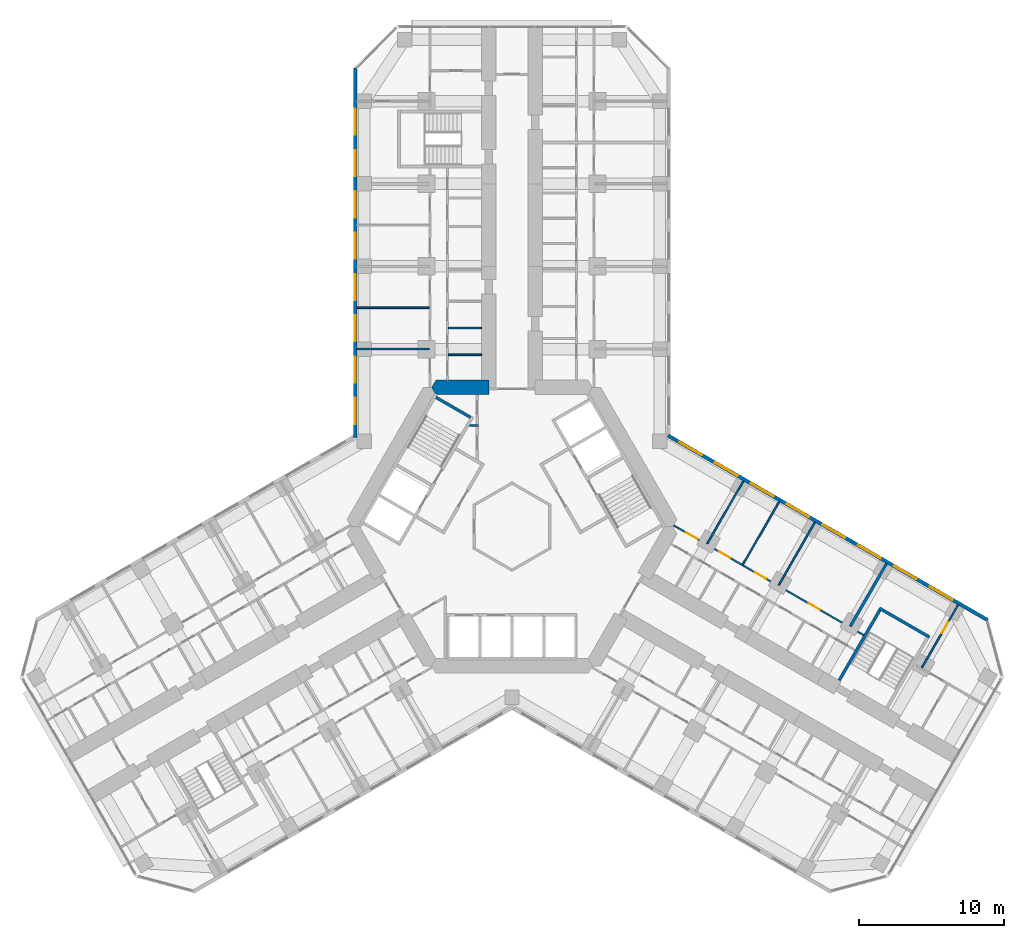
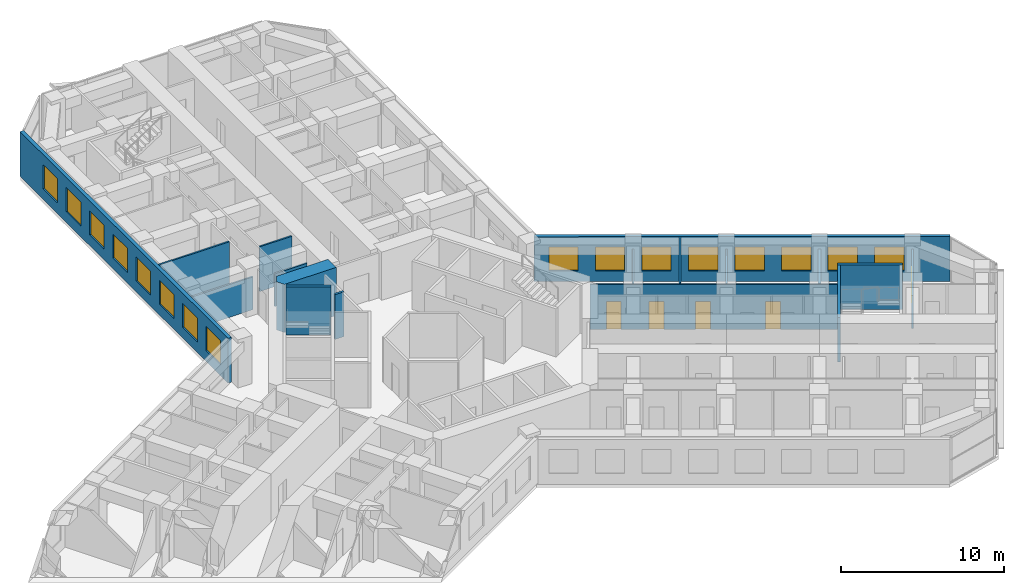
# One storey, part 16 of 21: 17 walls, 16 windows, 5 doors, 21 openings.
"""IFC4 building model written with IfcOpenShell, lengths in metres."""

from ifc_helpers import new_model, si_unit, direction, frame, frame_2d, origin, place, context, subcontext, project, spatial, polyline, rectangle, outline, extrude, material, layer, layer_set, type_object, element, fill, save


model = new_model("IFC4")

# Units and contexts
model_context = context("Model", 3, precision=1e-05, world=origin(), true_north=direction((0.0, 1.0)))
body_context = subcontext(model_context, "Body", "Model", "MODEL_VIEW")
ifc_project = project(units=[si_unit("LENGTHUNIT", "METRE"), si_unit("AREAUNIT", "SQUARE_METRE"), si_unit("VOLUMEUNIT", "CUBIC_METRE"), si_unit("PLANEANGLEUNIT", "RADIAN"), si_unit("MASSUNIT", "GRAM", prefix="KILO")], contexts=[model_context])

# Site, building, storey
site_placement = place(None, origin())
site = spatial("IfcSite", under=ifc_project, at=site_placement, CompositionType="ELEMENT")
building_placement = place(site_placement, origin())
building = spatial("IfcBuilding", under=site, at=building_placement, Name="Kosmar Iwan School Tower", CompositionType="ELEMENT")
storey_placement = place(building_placement, frame((0.0, 0.0, 68.199951171875)))
storey = spatial("IfcBuildingStorey", under=building, at=storey_placement, Name="L16", CompositionType="ELEMENT", Elevation=68.199951171875)

# Walls
ifc_material_1 = material(Name="Gypsum board on steel studs, fire-rated", Category="steel")
ifc_layer_1 = layer(ifc_material_1, 0.14990234375)
ifc_layer_set_1 = layer_set([ifc_layer_1], Name="Core room partition 150")
wall_type_1 = type_object("IfcWallType", Name="Core room partition 150", PredefinedType="PARTITIONING", material=ifc_layer_set_1)
wall_1_placement = place(storey_placement, frame((-2.324951171875, 6.985107421875, 0.0), z_axis=(0.0, 0.0, 1.0), x_axis=(-1.0, 0.0, 0.0)))
element("IfcWall", 1, at=wall_1_placement, inside=storey, type_object=wall_type_1, Name="Core room partition L16-CW2", PredefinedType="PARTITIONING", context=body_context, shape_type="SweptSolid", body=[
    extrude(rectangle(XDim=0.623779296875, YDim=0.14990234375, at=frame_2d((0.31201171875, 0.0))), origin(), (0.0, 0.0, 1.0), 3.35009765625),
])
ifc_material_2 = material(Name="Concrete C50/60", Category="concrete")
ifc_layer_2 = layer(ifc_material_2, 1.0)
ifc_layer_set_2 = layer_set([ifc_layer_2], Name="Core wall 1000")
wall_type_2 = type_object("IfcWallType", Name="Core wall 1000", PredefinedType="SHEAR", material=ifc_layer_set_2)
wall_2_placement = place(storey_placement, origin())
element("IfcWall", 2, at=wall_2_placement, inside=storey, type_object=wall_type_2, Name="Core wall F090b", PredefinedType="SHEAR", context=body_context, shape_type="SweptSolid", body=[
    extrude(outline(polyline([(-5.25390625, 9.10009765625), (-1.60009765625, 9.10009765625), (-1.60009765625, 10.10009765625), (-5.25390625, 10.10009765625), (-5.54248046875, 9.60009765625), (-5.25390625, 9.10009765625)])), origin(), (0.0, 0.0, 1.0), 3.60009765625),
])
ifc_material_3 = material(Name="Gypsum board on steel studs", Category="steel")
ifc_layer_3 = layer(ifc_material_3, 0.1201171875)
ifc_layer_set_3 = layer_set([ifc_layer_3], Name="Dwelling partition 120")
wall_type_3 = type_object("IfcWallType", Name="Dwelling partition 120", PredefinedType="PARTITIONING", material=ifc_layer_set_3)
wall_3_placement = place(storey_placement, frame((-5.7099609375, 12.25, 0.0), z_axis=(0.0, 0.0, 1.0), x_axis=(-1.0, 0.0, 0.0)))
element("IfcWall", 3, at=wall_3_placement, inside=storey, type_object=wall_type_3, Name="Partition L16-AL1-X1", PredefinedType="PARTITIONING", context=body_context, shape_type="SweptSolid", body=[
    extrude(rectangle(XDim=4.989990234375, YDim=0.1201171875, at=frame_2d((2.4951171875, 0.0))), origin(), (0.0, 0.0, 1.0), 2.449951171875),
])
wall_4_placement = place(storey_placement, frame((-5.7099609375, 15.10009765625, 0.0), z_axis=(0.0, 0.0, 1.0), x_axis=(-1.0, 0.0, 0.0)))
element("IfcWall", 4, at=wall_4_placement, inside=storey, type_object=wall_type_3, Name="Partition L16-AL1-X2", PredefinedType="PARTITIONING", context=body_context, shape_type="SweptSolid", body=[
    extrude(rectangle(XDim=4.989990234375, YDim=0.1201171875, at=frame_2d((2.4951171875, 0.0))), origin(), (0.0, 0.0, 1.0), 3.35009765625),
])
wall_5_placement = place(storey_placement, frame((-2.10009765625, 11.85009765625, 0.0), z_axis=(0.0, 0.0, 1.0), x_axis=(-1.0, 0.0, 0.0)))
element("IfcWall", 5, at=wall_5_placement, inside=storey, type_object=wall_type_3, Name="Partition L16-AL1-Y1", PredefinedType="PARTITIONING", context=body_context, shape_type="SweptSolid", body=[
    extrude(rectangle(XDim=2.289794921875, YDim=0.1201171875, at=frame_2d((1.14501953125, 0.0))), origin(), (0.0, 0.0, 1.0), 2.449951171875),
])
wall_6_placement = place(storey_placement, frame((-2.10009765625, 13.699951171875, 0.0), z_axis=(0.0, 0.0, 1.0), x_axis=(-1.0, 0.0, 0.0)))
element("IfcWall", 6, at=wall_6_placement, inside=storey, type_object=wall_type_3, Name="Partition L16-AL1-Y2", PredefinedType="PARTITIONING", context=body_context, shape_type="SweptSolid", body=[
    extrude(rectangle(XDim=2.289794921875, YDim=0.1201171875, at=frame_2d((1.14501953125, 0.0))), origin(), (0.0, 0.0, 1.0), 3.35009765625),
])

# Wall, openings, doors
wall_7_placement = place(storey_placement, frame((11.138916015625, 0.093017578125, 0.0), z_axis=(0.0, 0.0, 1.0), x_axis=(0.866024032363, -0.500002375365, 0.0)))
wall_7 = element("IfcWall", 7, at=wall_7_placement, inside=storey, type_object=wall_type_3, Name="Partition L16-CL1-W2", PredefinedType="PARTITIONING", context=body_context, shape_type="SweptSolid", body=[
    extrude(rectangle(XDim=15.14990234375, YDim=0.1201171875, at=frame_2d((7.574951171875, 0.0))), origin(), (0.0, 0.0, 1.0), 3.35009765625),
])
opening_1_placement = place(wall_7_placement, frame((1.0, 0.0, 0.0)))
opening_1 = element("IfcOpeningElement", 8, at=opening_1_placement, cuts=wall_7, Name="Opening D2", PredefinedType="OPENING", context=body_context, shape_type="SweptSolid", body=[
    extrude(rectangle(XDim=0.89990234375, YDim=2.10009765625, at=frame_2d((0.449951171875, 1.050048828125))), frame((0.0, 0.072021484375, 0.0), z_axis=(0.0, -1.0, 0.0), x_axis=(1.0, 0.0, 0.0)), (0.0, 0.0, 1.0), 0.14404296875),
])
opening_2_placement = place(wall_7_placement, frame((3.625, 0.0, 0.0)))
opening_2 = element("IfcOpeningElement", 9, at=opening_2_placement, cuts=wall_7, Name="Opening D2", PredefinedType="OPENING", context=body_context, shape_type="SweptSolid", body=[
    extrude(rectangle(XDim=0.89990234375, YDim=2.10009765625, at=frame_2d((0.449951171875, 1.050048828125))), frame((0.0, 0.072021484375, 0.0), z_axis=(0.0, -1.0, 0.0), x_axis=(1.0, 0.0, 0.0)), (0.0, 0.0, 1.0), 0.14404296875),
])
opening_3_placement = place(wall_7_placement, frame((6.47509765625, 0.0, 0.0)))
opening_3 = element("IfcOpeningElement", 10, at=opening_3_placement, cuts=wall_7, Name="Opening D2", PredefinedType="OPENING", context=body_context, shape_type="SweptSolid", body=[
    extrude(rectangle(XDim=0.89990234375, YDim=2.10009765625, at=frame_2d((0.449951171875, 1.050048828125))), frame((0.0, 0.072021484375, 0.0), z_axis=(0.0, -1.0, 0.0), x_axis=(1.0, 0.0, 0.0)), (0.0, 0.0, 1.0), 0.14404296875),
])
opening_4_placement = place(wall_7_placement, frame((10.75, 0.0, 0.0)))
opening_4 = element("IfcOpeningElement", 11, at=opening_4_placement, cuts=wall_7, Name="Opening D2", PredefinedType="OPENING", context=body_context, shape_type="SweptSolid", body=[
    extrude(rectangle(XDim=0.89990234375, YDim=2.10009765625, at=frame_2d((0.449951171875, 1.050048828125))), frame((0.0, 0.072021484375, 0.0), z_axis=(0.0, -1.0, 0.0), x_axis=(1.0, 0.0, 0.0)), (0.0, 0.0, 1.0), 0.14404296875),
])
ifc_material_4 = material(Name="Timber door in timber frame", Category="wood")
door_type = type_object("IfcDoorType", Name="Internal door 900x2100", OperationType="SINGLE_SWING_LEFT", PredefinedType="DOOR", material=ifc_material_4)
door_1_placement = place(opening_1_placement, origin())
door_1 = element("IfcDoor", 12, at=door_1_placement, inside=storey, type_object=door_type, Name="Family room door L16-CL1-F1", OperationType="SINGLE_SWING_LEFT", OverallHeight=2.10009765625, OverallWidth=0.89990234375, PredefinedType="DOOR", context=body_context, shape_type="SweptSolid", body=[
    extrude(rectangle(XDim=0.89990234375, YDim=2.10009765625, at=frame_2d((0.449951171875, 1.050048828125))), frame((0.0, 0.02490234375, 0.0), z_axis=(0.0, -1.0, 0.0), x_axis=(1.0, 0.0, 0.0)), (0.0, 0.0, 1.0), 0.050048828125),
])
fill(opening_1, door_1)
door_2_placement = place(opening_2_placement, origin())
door_2 = element("IfcDoor", 13, at=door_2_placement, inside=storey, type_object=door_type, Name="Study door L16-CL1-F2", OperationType="SINGLE_SWING_RIGHT", OverallHeight=2.10009765625, OverallWidth=0.89990234375, PredefinedType="DOOR", context=body_context, shape_type="SweptSolid", body=[
    extrude(rectangle(XDim=0.89990234375, YDim=2.10009765625, at=frame_2d((0.449951171875, 1.050048828125))), frame((0.0, 0.02490234375, 0.0), z_axis=(0.0, -1.0, 0.0), x_axis=(1.0, 0.0, 0.0)), (0.0, 0.0, 1.0), 0.050048828125),
])
fill(opening_2, door_2)
door_3_placement = place(opening_3_placement, origin())
door_3 = element("IfcDoor", 14, at=door_3_placement, inside=storey, type_object=door_type, Name="Bedroom 1 door L16-CL1-F3", OperationType="SINGLE_SWING_LEFT", OverallHeight=2.10009765625, OverallWidth=0.89990234375, PredefinedType="DOOR", context=body_context, shape_type="SweptSolid", body=[
    extrude(rectangle(XDim=0.89990234375, YDim=2.10009765625, at=frame_2d((0.449951171875, 1.050048828125))), frame((0.0, 0.02490234375, 0.0), z_axis=(0.0, -1.0, 0.0), x_axis=(1.0, 0.0, 0.0)), (0.0, 0.0, 1.0), 0.050048828125),
])
fill(opening_3, door_3)
door_4_placement = place(opening_4_placement, origin())
door_4 = element("IfcDoor", 15, at=door_4_placement, inside=storey, type_object=door_type, Name="Living room and kitchen door L16-CL1-F4", OperationType="SINGLE_SWING_RIGHT", OverallHeight=2.10009765625, OverallWidth=0.89990234375, PredefinedType="DOOR", context=body_context, shape_type="SweptSolid", body=[
    extrude(rectangle(XDim=0.89990234375, YDim=2.10009765625, at=frame_2d((0.449951171875, 1.050048828125))), frame((0.0, 0.02490234375, 0.0), z_axis=(0.0, -1.0, 0.0), x_axis=(1.0, 0.0, 0.0)), (0.0, 0.0, 1.0), 0.050048828125),
])
fill(opening_4, door_4)

# Walls
wall_8_placement = place(storey_placement, frame((13.4638671875, -1.179931640625, 0.0), z_axis=(0.0, 0.0, 1.0), x_axis=(0.499996339024, 0.86602751744, 0.0)))
element("IfcWall", 16, at=wall_8_placement, inside=storey, type_object=wall_type_3, Name="Partition L16-CL1-X1", PredefinedType="PARTITIONING", context=body_context, shape_type="SweptSolid", body=[
    extrude(rectangle(XDim=4.98974609375, YDim=0.1201171875, at=frame_2d((2.494873046875, 0.0))), origin(), (0.0, 0.0, 1.0), 2.449951171875),
])
wall_9_placement = place(storey_placement, frame((15.931884765625, -2.60498046875, 0.0), z_axis=(0.0, 0.0, 1.0), x_axis=(0.500011847778, 0.866018563358, 0.0)))
element("IfcWall", 17, at=wall_9_placement, inside=storey, type_object=wall_type_3, Name="Partition L16-CL1-X2", PredefinedType="PARTITIONING", context=body_context, shape_type="SweptSolid", body=[
    extrude(rectangle(XDim=4.990234375, YDim=0.1201171875, at=frame_2d((2.4951171875, 0.0))), origin(), (0.0, 0.0, 1.0), 3.35009765625),
])
wall_10_placement = place(storey_placement, frame((18.400146484375, -4.030029296875, 0.0), z_axis=(0.0, 0.0, 1.0), x_axis=(0.500011847778, 0.866018563358, 0.0)))
element("IfcWall", 18, at=wall_10_placement, inside=storey, type_object=wall_type_3, Name="Partition L16-CL1-X3", PredefinedType="PARTITIONING", context=body_context, shape_type="SweptSolid", body=[
    extrude(rectangle(XDim=4.990234375, YDim=0.1201171875, at=frame_2d((2.4951171875, 0.0))), origin(), (0.0, 0.0, 1.0), 2.449951171875),
])

# Wall, opening, door
wall_11_placement = place(storey_placement, frame((28.27294921875, -9.72998046875, 0.0), z_axis=(0.0, 0.0, 1.0), x_axis=(0.499975153383, 0.86603974851, 0.0)))
wall_11 = element("IfcWall", 19, at=wall_11_placement, inside=storey, type_object=wall_type_3, Name="Partition L16-CL2-TX", PredefinedType="PARTITIONING", context=body_context, shape_type="SweptSolid", body=[
    extrude(rectangle(XDim=4.989990234375, YDim=0.1201171875, at=frame_2d((2.4951171875, 0.0))), origin(), (0.0, 0.0, 1.0), 2.449951171875),
])
opening_5_placement = place(wall_11_placement, frame((2.739990234375, 0.0, 0.0)))
opening_5 = element("IfcOpeningElement", 20, at=opening_5_placement, cuts=wall_11, Name="Opening D2", PredefinedType="OPENING", context=body_context, shape_type="SweptSolid", body=[
    extrude(rectangle(XDim=0.89990234375, YDim=2.10009765625, at=frame_2d((0.449951171875, 1.050048828125))), frame((0.0, 0.072021484375, 0.0), z_axis=(0.0, -1.0, 0.0), x_axis=(1.0, 0.0, 0.0)), (0.0, 0.0, 1.0), 0.14404296875),
])
door_5_placement = place(opening_5_placement, origin())
door_5 = element("IfcDoor", 21, at=door_5_placement, inside=storey, type_object=door_type, Name="Bedroom 1 door L16-CL2-T1", OperationType="SINGLE_SWING_RIGHT", OverallHeight=2.10009765625, OverallWidth=0.89990234375, PredefinedType="DOOR", context=body_context, shape_type="SweptSolid", body=[
    extrude(rectangle(XDim=0.89990234375, YDim=2.10009765625, at=frame_2d((0.449951171875, 1.050048828125))), frame((0.0, 0.02490234375, 0.0), z_axis=(0.0, -1.0, 0.0), x_axis=(1.0, 0.0, 0.0)), (0.0, 0.0, 1.0), 0.050048828125),
])
fill(opening_5, door_5)

# Walls
ifc_material_5 = material(Name="Concrete C35/45", Category="concrete")
ifc_layer_4 = layer(ifc_material_5, 0.199951171875)
ifc_layer_set_4 = layer_set([ifc_layer_4], Name="Escape stair wall 200")
wall_type_4 = type_object("IfcWallType", Name="Escape stair wall 200", PredefinedType="SHEAR", material=ifc_layer_set_4)
wall_12_placement = place(storey_placement, frame((22.57080078125, -10.6064453125, 0.0), z_axis=(0.0, 0.0, 1.0), x_axis=(0.499987231761, 0.866032775405, 0.0)))
element("IfcWall", 22, at=wall_12_placement, inside=storey, type_object=wall_type_4, Name="Stair WS3 wall", PredefinedType="SHEAR", context=body_context, shape_type="SweptSolid", body=[
    extrude(rectangle(XDim=5.800048828125, YDim=0.199951171875, at=frame_2d((2.89990234375, 0.0))), origin(), (0.0, 0.0, 1.0), 3.330078125),
])
wall_13_placement = place(storey_placement, frame((25.334228515625, -5.6201171875, 0.0), z_axis=(0.0, 0.0, 1.0), x_axis=(0.866026010844, -0.49999894854, 0.0)))
element("IfcWall", 23, at=wall_13_placement, inside=storey, type_object=wall_type_4, Name="Stair WS3 wall", PredefinedType="SHEAR", context=body_context, shape_type="SweptSolid", body=[
    extrude(rectangle(XDim=4.0, YDim=0.199951171875, at=frame_2d((2.0, 0.0))), origin(), (0.0, 0.0, 1.0), 3.330078125),
])

# Wall, openings, windows
ifc_material_6 = material(Name="Black aluminium rainscreen on insulated framing", Category="aluminium")
ifc_layer_5 = layer(ifc_material_6, 0.25)
ifc_layer_set_5 = layer_set([ifc_layer_5], Name="External wall rainscreen 250")
wall_type_5 = type_object("IfcWallType", Name="External wall rainscreen 250", PredefinedType="SOLIDWALL", material=ifc_layer_set_5)
wall_14_placement = place(storey_placement, frame((10.762451171875, 6.285888671875, 0.0), z_axis=(0.0, 0.0, 1.0), x_axis=(0.866027962024, -0.499995568972, 0.0)))
wall_14 = element("IfcWall", 24, at=wall_14_placement, inside=storey, type_object=wall_type_5, Name="External wall CL L16", PredefinedType="SOLIDWALL", context=body_context, shape_type="SweptSolid", body=[
    extrude(rectangle(XDim=25.457763671875, YDim=0.25, at=frame_2d((12.72900390625, 0.0))), origin(), (0.0, 0.0, 1.0), 3.35009765625),
])
opening_6_placement = place(wall_14_placement, frame((0.8974609375, 0.0, 0.800048828125)))
opening_6 = element("IfcOpeningElement", 25, at=opening_6_placement, cuts=wall_14, Name="Opening W1", PredefinedType="OPENING", context=body_context, shape_type="SweptSolid", body=[
    extrude(rectangle(XDim=1.800048828125, YDim=1.800048828125, at=frame_2d((0.89990234375, 0.89990234375))), frame((0.0, 0.136962890625, 0.0), z_axis=(0.0, -1.0, 0.0), x_axis=(1.0, 0.0, 0.0)), (0.0, 0.0, 1.0), 0.27392578125),
])
opening_7_placement = place(wall_14_placement, frame((3.747314453125, 0.0, 0.800048828125)))
opening_7 = element("IfcOpeningElement", 26, at=opening_7_placement, cuts=wall_14, Name="Opening W1", PredefinedType="OPENING", context=body_context, shape_type="SweptSolid", body=[
    extrude(rectangle(XDim=1.800048828125, YDim=1.800048828125, at=frame_2d((0.89990234375, 0.89990234375))), frame((0.0, 0.136962890625, 0.0), z_axis=(0.0, -1.0, 0.0), x_axis=(1.0, 0.0, 0.0)), (0.0, 0.0, 1.0), 0.27392578125),
])
opening_8_placement = place(wall_14_placement, frame((6.597412109375, 0.0, 0.800048828125)))
opening_8 = element("IfcOpeningElement", 27, at=opening_8_placement, cuts=wall_14, Name="Opening W1", PredefinedType="OPENING", context=body_context, shape_type="SweptSolid", body=[
    extrude(rectangle(XDim=1.800048828125, YDim=1.800048828125, at=frame_2d((0.89990234375, 0.89990234375))), frame((0.0, 0.136962890625, 0.0), z_axis=(0.0, -1.0, 0.0), x_axis=(1.0, 0.0, 0.0)), (0.0, 0.0, 1.0), 0.27392578125),
])
opening_9_placement = place(wall_14_placement, frame((9.447265625, 0.0, 0.800048828125)))
opening_9 = element("IfcOpeningElement", 28, at=opening_9_placement, cuts=wall_14, Name="Opening W1", PredefinedType="OPENING", context=body_context, shape_type="SweptSolid", body=[
    extrude(rectangle(XDim=1.800048828125, YDim=1.800048828125, at=frame_2d((0.89990234375, 0.89990234375))), frame((0.0, 0.136962890625, 0.0), z_axis=(0.0, -1.0, 0.0), x_axis=(1.0, 0.0, 0.0)), (0.0, 0.0, 1.0), 0.27392578125),
])
opening_10_placement = place(wall_14_placement, frame((12.29736328125, 0.0, 0.800048828125)))
opening_10 = element("IfcOpeningElement", 29, at=opening_10_placement, cuts=wall_14, Name="Opening W1", PredefinedType="OPENING", context=body_context, shape_type="SweptSolid", body=[
    extrude(rectangle(XDim=1.800048828125, YDim=1.800048828125, at=frame_2d((0.89990234375, 0.89990234375))), frame((0.0, 0.136962890625, 0.0), z_axis=(0.0, -1.0, 0.0), x_axis=(1.0, 0.0, 0.0)), (0.0, 0.0, 1.0), 0.27392578125),
])
opening_11_placement = place(wall_14_placement, frame((15.1474609375, 0.0, 0.800048828125)))
opening_11 = element("IfcOpeningElement", 30, at=opening_11_placement, cuts=wall_14, Name="Opening W1", PredefinedType="OPENING", context=body_context, shape_type="SweptSolid", body=[
    extrude(rectangle(XDim=1.800048828125, YDim=1.800048828125, at=frame_2d((0.89990234375, 0.89990234375))), frame((0.0, 0.136962890625, 0.0), z_axis=(0.0, -1.0, 0.0), x_axis=(1.0, 0.0, 0.0)), (0.0, 0.0, 1.0), 0.27392578125),
])
opening_12_placement = place(wall_14_placement, frame((17.997314453125, 0.0, 0.800048828125)))
opening_12 = element("IfcOpeningElement", 31, at=opening_12_placement, cuts=wall_14, Name="Opening W1", PredefinedType="OPENING", context=body_context, shape_type="SweptSolid", body=[
    extrude(rectangle(XDim=1.800048828125, YDim=1.800048828125, at=frame_2d((0.89990234375, 0.89990234375))), frame((0.0, 0.136962890625, 0.0), z_axis=(0.0, -1.0, 0.0), x_axis=(1.0, 0.0, 0.0)), (0.0, 0.0, 1.0), 0.27392578125),
])
opening_13_placement = place(wall_14_placement, frame((20.847412109375, 0.0, 0.800048828125)))
opening_13 = element("IfcOpeningElement", 32, at=opening_13_placement, cuts=wall_14, Name="Opening W1", PredefinedType="OPENING", context=body_context, shape_type="SweptSolid", body=[
    extrude(rectangle(XDim=1.800048828125, YDim=1.800048828125, at=frame_2d((0.89990234375, 0.89990234375))), frame((0.0, 0.136962890625, 0.0), z_axis=(0.0, -1.0, 0.0), x_axis=(1.0, 0.0, 0.0)), (0.0, 0.0, 1.0), 0.27392578125),
])
ifc_material_7 = material(Name="Black aluminium frame with dark triple glazing", Category="aluminium")
window_type = type_object("IfcWindowType", Name="Window 1800x1800", PartitioningType="SINGLE_PANEL", PredefinedType="WINDOW", material=ifc_material_7)
window_1_placement = place(opening_6_placement, origin())
window_1 = element("IfcWindow", 33, at=window_1_placement, inside=storey, type_object=window_type, Name="Window CL L16 -1", OverallHeight=1.800048828125, OverallWidth=1.800048828125, PartitioningType="SINGLE_PANEL", PredefinedType="WINDOW", context=body_context, shape_type="SweptSolid", body=[
    extrude(rectangle(XDim=1.800048828125, YDim=1.800048828125, at=frame_2d((0.89990234375, 0.89990234375))), frame((0.0, 0.030029296875, 0.0), z_axis=(0.0, -1.0, 0.0), x_axis=(1.0, 0.0, 0.0)), (0.0, 0.0, 1.0), 0.06005859375),
])
fill(opening_6, window_1)
window_2_placement = place(opening_7_placement, origin())
window_2 = element("IfcWindow", 34, at=window_2_placement, inside=storey, type_object=window_type, Name="Window CL L16 0", OverallHeight=1.800048828125, OverallWidth=1.800048828125, PartitioningType="SINGLE_PANEL", PredefinedType="WINDOW", context=body_context, shape_type="SweptSolid", body=[
    extrude(rectangle(XDim=1.800048828125, YDim=1.800048828125, at=frame_2d((0.89990234375, 0.89990234375))), frame((0.0, 0.030029296875, 0.0), z_axis=(0.0, -1.0, 0.0), x_axis=(1.0, 0.0, 0.0)), (0.0, 0.0, 1.0), 0.06005859375),
])
fill(opening_7, window_2)
window_3_placement = place(opening_8_placement, origin())
window_3 = element("IfcWindow", 35, at=window_3_placement, inside=storey, type_object=window_type, Name="Window CL L16 1", OverallHeight=1.800048828125, OverallWidth=1.800048828125, PartitioningType="SINGLE_PANEL", PredefinedType="WINDOW", context=body_context, shape_type="SweptSolid", body=[
    extrude(rectangle(XDim=1.800048828125, YDim=1.800048828125, at=frame_2d((0.89990234375, 0.89990234375))), frame((0.0, 0.030029296875, 0.0), z_axis=(0.0, -1.0, 0.0), x_axis=(1.0, 0.0, 0.0)), (0.0, 0.0, 1.0), 0.06005859375),
])
fill(opening_8, window_3)
window_4_placement = place(opening_9_placement, origin())
window_4 = element("IfcWindow", 36, at=window_4_placement, inside=storey, type_object=window_type, Name="Window CL L16 2", OverallHeight=1.800048828125, OverallWidth=1.800048828125, PartitioningType="SINGLE_PANEL", PredefinedType="WINDOW", context=body_context, shape_type="SweptSolid", body=[
    extrude(rectangle(XDim=1.800048828125, YDim=1.800048828125, at=frame_2d((0.89990234375, 0.89990234375))), frame((0.0, 0.030029296875, 0.0), z_axis=(0.0, -1.0, 0.0), x_axis=(1.0, 0.0, 0.0)), (0.0, 0.0, 1.0), 0.06005859375),
])
fill(opening_9, window_4)
window_5_placement = place(opening_10_placement, origin())
window_5 = element("IfcWindow", 37, at=window_5_placement, inside=storey, type_object=window_type, Name="Window CL L16 3", OverallHeight=1.800048828125, OverallWidth=1.800048828125, PartitioningType="SINGLE_PANEL", PredefinedType="WINDOW", context=body_context, shape_type="SweptSolid", body=[
    extrude(rectangle(XDim=1.800048828125, YDim=1.800048828125, at=frame_2d((0.89990234375, 0.89990234375))), frame((0.0, 0.030029296875, 0.0), z_axis=(0.0, -1.0, 0.0), x_axis=(1.0, 0.0, 0.0)), (0.0, 0.0, 1.0), 0.06005859375),
])
fill(opening_10, window_5)
window_6_placement = place(opening_11_placement, origin())
window_6 = element("IfcWindow", 38, at=window_6_placement, inside=storey, type_object=window_type, Name="Window CL L16 4", OverallHeight=1.800048828125, OverallWidth=1.800048828125, PartitioningType="SINGLE_PANEL", PredefinedType="WINDOW", context=body_context, shape_type="SweptSolid", body=[
    extrude(rectangle(XDim=1.800048828125, YDim=1.800048828125, at=frame_2d((0.89990234375, 0.89990234375))), frame((0.0, 0.030029296875, 0.0), z_axis=(0.0, -1.0, 0.0), x_axis=(1.0, 0.0, 0.0)), (0.0, 0.0, 1.0), 0.06005859375),
])
fill(opening_11, window_6)
window_7_placement = place(opening_12_placement, origin())
window_7 = element("IfcWindow", 39, at=window_7_placement, inside=storey, type_object=window_type, Name="Window CL L16 5", OverallHeight=1.800048828125, OverallWidth=1.800048828125, PartitioningType="SINGLE_PANEL", PredefinedType="WINDOW", context=body_context, shape_type="SweptSolid", body=[
    extrude(rectangle(XDim=1.800048828125, YDim=1.800048828125, at=frame_2d((0.89990234375, 0.89990234375))), frame((0.0, 0.030029296875, 0.0), z_axis=(0.0, -1.0, 0.0), x_axis=(1.0, 0.0, 0.0)), (0.0, 0.0, 1.0), 0.06005859375),
])
fill(opening_12, window_7)
window_8_placement = place(opening_13_placement, origin())
window_8 = element("IfcWindow", 40, at=window_8_placement, inside=storey, type_object=window_type, Name="Window CL L16 6", OverallHeight=1.800048828125, OverallWidth=1.800048828125, PartitioningType="SINGLE_PANEL", PredefinedType="WINDOW", context=body_context, shape_type="SweptSolid", body=[
    extrude(rectangle(XDim=1.800048828125, YDim=1.800048828125, at=frame_2d((0.89990234375, 0.89990234375))), frame((0.0, 0.030029296875, 0.0), z_axis=(0.0, -1.0, 0.0), x_axis=(1.0, 0.0, 0.0)), (0.0, 0.0, 1.0), 0.06005859375),
])
fill(opening_13, window_8)

wall_15_placement = place(storey_placement, frame((-10.824951171875, 6.14794921875, 0.0), z_axis=(0.0, 0.0, 1.0), x_axis=(0.0, 1.0, 0.0)))
wall_15 = element("IfcWall", 41, at=wall_15_placement, inside=storey, type_object=wall_type_5, Name="External wall AL L16", PredefinedType="SOLIDWALL", context=body_context, shape_type="SweptSolid", body=[
    extrude(rectangle(XDim=25.4873046875, YDim=0.25, at=frame_2d((12.74365234375, 0.0))), origin(), (0.0, 0.0, 1.0), 3.35009765625),
])
opening_14_placement = place(wall_15_placement, frame((0.927001953125, 0.0, 0.800048828125)))
opening_14 = element("IfcOpeningElement", 42, at=opening_14_placement, cuts=wall_15, Name="Opening W1", PredefinedType="OPENING", context=body_context, shape_type="SweptSolid", body=[
    extrude(rectangle(XDim=1.800048828125, YDim=1.800048828125, at=frame_2d((0.89990234375, 0.89990234375))), frame((0.0, 0.136962890625, 0.0), z_axis=(0.0, -1.0, 0.0), x_axis=(1.0, 0.0, 0.0)), (0.0, 0.0, 1.0), 0.27392578125),
])
opening_15_placement = place(wall_15_placement, frame((3.777099609375, 0.0, 0.800048828125)))
opening_15 = element("IfcOpeningElement", 43, at=opening_15_placement, cuts=wall_15, Name="Opening W1", PredefinedType="OPENING", context=body_context, shape_type="SweptSolid", body=[
    extrude(rectangle(XDim=1.800048828125, YDim=1.800048828125, at=frame_2d((0.89990234375, 0.89990234375))), frame((0.0, 0.136962890625, 0.0), z_axis=(0.0, -1.0, 0.0), x_axis=(1.0, 0.0, 0.0)), (0.0, 0.0, 1.0), 0.27392578125),
])
opening_16_placement = place(wall_15_placement, frame((6.626953125, 0.0, 0.800048828125)))
opening_16 = element("IfcOpeningElement", 44, at=opening_16_placement, cuts=wall_15, Name="Opening W1", PredefinedType="OPENING", context=body_context, shape_type="SweptSolid", body=[
    extrude(rectangle(XDim=1.800048828125, YDim=1.800048828125, at=frame_2d((0.89990234375, 0.89990234375))), frame((0.0, 0.136962890625, 0.0), z_axis=(0.0, -1.0, 0.0), x_axis=(1.0, 0.0, 0.0)), (0.0, 0.0, 1.0), 0.27392578125),
])
opening_17_placement = place(wall_15_placement, frame((9.47705078125, 0.0, 0.800048828125)))
opening_17 = element("IfcOpeningElement", 45, at=opening_17_placement, cuts=wall_15, Name="Opening W1", PredefinedType="OPENING", context=body_context, shape_type="SweptSolid", body=[
    extrude(rectangle(XDim=1.800048828125, YDim=1.800048828125, at=frame_2d((0.89990234375, 0.89990234375))), frame((0.0, 0.136962890625, 0.0), z_axis=(0.0, -1.0, 0.0), x_axis=(1.0, 0.0, 0.0)), (0.0, 0.0, 1.0), 0.27392578125),
])
opening_18_placement = place(wall_15_placement, frame((12.326904296875, 0.0, 0.800048828125)))
opening_18 = element("IfcOpeningElement", 46, at=opening_18_placement, cuts=wall_15, Name="Opening W1", PredefinedType="OPENING", context=body_context, shape_type="SweptSolid", body=[
    extrude(rectangle(XDim=1.800048828125, YDim=1.800048828125, at=frame_2d((0.89990234375, 0.89990234375))), frame((0.0, 0.136962890625, 0.0), z_axis=(0.0, -1.0, 0.0), x_axis=(1.0, 0.0, 0.0)), (0.0, 0.0, 1.0), 0.27392578125),
])
opening_19_placement = place(wall_15_placement, frame((15.177001953125, 0.0, 0.800048828125)))
opening_19 = element("IfcOpeningElement", 47, at=opening_19_placement, cuts=wall_15, Name="Opening W1", PredefinedType="OPENING", context=body_context, shape_type="SweptSolid", body=[
    extrude(rectangle(XDim=1.800048828125, YDim=1.800048828125, at=frame_2d((0.89990234375, 0.89990234375))), frame((0.0, 0.136962890625, 0.0), z_axis=(0.0, -1.0, 0.0), x_axis=(1.0, 0.0, 0.0)), (0.0, 0.0, 1.0), 0.27392578125),
])
opening_20_placement = place(wall_15_placement, frame((18.027099609375, 0.0, 0.800048828125)))
opening_20 = element("IfcOpeningElement", 48, at=opening_20_placement, cuts=wall_15, Name="Opening W1", PredefinedType="OPENING", context=body_context, shape_type="SweptSolid", body=[
    extrude(rectangle(XDim=1.800048828125, YDim=1.800048828125, at=frame_2d((0.89990234375, 0.89990234375))), frame((0.0, 0.136962890625, 0.0), z_axis=(0.0, -1.0, 0.0), x_axis=(1.0, 0.0, 0.0)), (0.0, 0.0, 1.0), 0.27392578125),
])
opening_21_placement = place(wall_15_placement, frame((20.876953125, 0.0, 0.800048828125)))
opening_21 = element("IfcOpeningElement", 49, at=opening_21_placement, cuts=wall_15, Name="Opening W1", PredefinedType="OPENING", context=body_context, shape_type="SweptSolid", body=[
    extrude(rectangle(XDim=1.800048828125, YDim=1.800048828125, at=frame_2d((0.89990234375, 0.89990234375))), frame((0.0, 0.136962890625, 0.0), z_axis=(0.0, -1.0, 0.0), x_axis=(1.0, 0.0, 0.0)), (0.0, 0.0, 1.0), 0.27392578125),
])
window_9_placement = place(opening_14_placement, origin())
window_9 = element("IfcWindow", 50, at=window_9_placement, inside=storey, type_object=window_type, Name="Window AL L16 -1", OverallHeight=1.800048828125, OverallWidth=1.800048828125, PartitioningType="SINGLE_PANEL", PredefinedType="WINDOW", context=body_context, shape_type="SweptSolid", body=[
    extrude(rectangle(XDim=1.800048828125, YDim=1.800048828125, at=frame_2d((0.89990234375, 0.89990234375))), frame((0.0, 0.030029296875, 0.0), z_axis=(0.0, -1.0, 0.0), x_axis=(1.0, 0.0, 0.0)), (0.0, 0.0, 1.0), 0.06005859375),
])
fill(opening_14, window_9)
window_10_placement = place(opening_15_placement, origin())
window_10 = element("IfcWindow", 51, at=window_10_placement, inside=storey, type_object=window_type, Name="Window AL L16 0", OverallHeight=1.800048828125, OverallWidth=1.800048828125, PartitioningType="SINGLE_PANEL", PredefinedType="WINDOW", context=body_context, shape_type="SweptSolid", body=[
    extrude(rectangle(XDim=1.800048828125, YDim=1.800048828125, at=frame_2d((0.89990234375, 0.89990234375))), frame((0.0, 0.030029296875, 0.0), z_axis=(0.0, -1.0, 0.0), x_axis=(1.0, 0.0, 0.0)), (0.0, 0.0, 1.0), 0.06005859375),
])
fill(opening_15, window_10)
window_11_placement = place(opening_16_placement, origin())
window_11 = element("IfcWindow", 52, at=window_11_placement, inside=storey, type_object=window_type, Name="Window AL L16 1", OverallHeight=1.800048828125, OverallWidth=1.800048828125, PartitioningType="SINGLE_PANEL", PredefinedType="WINDOW", context=body_context, shape_type="SweptSolid", body=[
    extrude(rectangle(XDim=1.800048828125, YDim=1.800048828125, at=frame_2d((0.89990234375, 0.89990234375))), frame((0.0, 0.030029296875, 0.0), z_axis=(0.0, -1.0, 0.0), x_axis=(1.0, 0.0, 0.0)), (0.0, 0.0, 1.0), 0.06005859375),
])
fill(opening_16, window_11)
window_12_placement = place(opening_17_placement, origin())
window_12 = element("IfcWindow", 53, at=window_12_placement, inside=storey, type_object=window_type, Name="Window AL L16 2", OverallHeight=1.800048828125, OverallWidth=1.800048828125, PartitioningType="SINGLE_PANEL", PredefinedType="WINDOW", context=body_context, shape_type="SweptSolid", body=[
    extrude(rectangle(XDim=1.800048828125, YDim=1.800048828125, at=frame_2d((0.89990234375, 0.89990234375))), frame((0.0, 0.030029296875, 0.0), z_axis=(0.0, -1.0, 0.0), x_axis=(1.0, 0.0, 0.0)), (0.0, 0.0, 1.0), 0.06005859375),
])
fill(opening_17, window_12)
window_13_placement = place(opening_18_placement, origin())
window_13 = element("IfcWindow", 54, at=window_13_placement, inside=storey, type_object=window_type, Name="Window AL L16 3", OverallHeight=1.800048828125, OverallWidth=1.800048828125, PartitioningType="SINGLE_PANEL", PredefinedType="WINDOW", context=body_context, shape_type="SweptSolid", body=[
    extrude(rectangle(XDim=1.800048828125, YDim=1.800048828125, at=frame_2d((0.89990234375, 0.89990234375))), frame((0.0, 0.030029296875, 0.0), z_axis=(0.0, -1.0, 0.0), x_axis=(1.0, 0.0, 0.0)), (0.0, 0.0, 1.0), 0.06005859375),
])
fill(opening_18, window_13)
window_14_placement = place(opening_19_placement, origin())
window_14 = element("IfcWindow", 55, at=window_14_placement, inside=storey, type_object=window_type, Name="Window AL L16 4", OverallHeight=1.800048828125, OverallWidth=1.800048828125, PartitioningType="SINGLE_PANEL", PredefinedType="WINDOW", context=body_context, shape_type="SweptSolid", body=[
    extrude(rectangle(XDim=1.800048828125, YDim=1.800048828125, at=frame_2d((0.89990234375, 0.89990234375))), frame((0.0, 0.030029296875, 0.0), z_axis=(0.0, -1.0, 0.0), x_axis=(1.0, 0.0, 0.0)), (0.0, 0.0, 1.0), 0.06005859375),
])
fill(opening_19, window_14)
window_15_placement = place(opening_20_placement, origin())
window_15 = element("IfcWindow", 56, at=window_15_placement, inside=storey, type_object=window_type, Name="Window AL L16 5", OverallHeight=1.800048828125, OverallWidth=1.800048828125, PartitioningType="SINGLE_PANEL", PredefinedType="WINDOW", context=body_context, shape_type="SweptSolid", body=[
    extrude(rectangle(XDim=1.800048828125, YDim=1.800048828125, at=frame_2d((0.89990234375, 0.89990234375))), frame((0.0, 0.030029296875, 0.0), z_axis=(0.0, -1.0, 0.0), x_axis=(1.0, 0.0, 0.0)), (0.0, 0.0, 1.0), 0.06005859375),
])
fill(opening_20, window_15)
window_16_placement = place(opening_21_placement, origin())
window_16 = element("IfcWindow", 57, at=window_16_placement, inside=storey, type_object=window_type, Name="Window AL L16 6", OverallHeight=1.800048828125, OverallWidth=1.800048828125, PartitioningType="SINGLE_PANEL", PredefinedType="WINDOW", context=body_context, shape_type="SweptSolid", body=[
    extrude(rectangle(XDim=1.800048828125, YDim=1.800048828125, at=frame_2d((0.89990234375, 0.89990234375))), frame((0.0, 0.030029296875, 0.0), z_axis=(0.0, -1.0, 0.0), x_axis=(1.0, 0.0, 0.0)), (0.0, 0.0, 1.0), 0.06005859375),
])
fill(opening_21, window_16)

# Walls
ifc_material_8 = material(Name="Concrete block masonry", Category="masonry")
ifc_layer_6 = layer(ifc_material_8, 0.199951171875)
ifc_layer_set_6 = layer_set([ifc_layer_6], Name="Party wall 200")
wall_type_6 = type_object("IfcWallType", Name="Party wall 200", PredefinedType="PARTITIONING", material=ifc_layer_set_6)
wall_16_placement = place(storey_placement, frame((23.33642578125, -6.8798828125, 0.0), z_axis=(0.0, 0.0, 1.0), x_axis=(0.500033033937, 0.866006330792, 0.0)))
element("IfcWall", 58, at=wall_16_placement, inside=storey, type_object=wall_type_6, Name="Partition L16-CL2-TB", PredefinedType="PARTITIONING", context=body_context, shape_type="SweptSolid", body=[
    extrude(rectangle(XDim=4.989990234375, YDim=0.199951171875, at=frame_2d((2.4951171875, 0.0))), origin(), (0.0, 0.0, 1.0), 2.449951171875),
])
ifc_material_9 = material(Name="Concrete C50/60", Category="concrete")
ifc_layer_7 = layer(ifc_material_9, 0.199951171875)
ifc_layer_set_7 = layer_set([ifc_layer_7], Name="Stair enclosure wall 200")
wall_type_7 = type_object("IfcWallType", Name="Stair enclosure wall 200", PredefinedType="SHEAR", material=ifc_layer_set_7)
wall_17_placement = place(storey_placement, frame((-2.862548828125, 7.541748046875, 0.0), z_axis=(0.0, 0.0, 1.0), x_axis=(-0.866027397988, 0.499996545922, 0.0)))
element("IfcWall", 59, at=wall_17_placement, inside=storey, type_object=wall_type_7, Name="Stair ST2 wall", PredefinedType="SHEAR", context=body_context, shape_type="SweptSolid", body=[
    extrude(rectangle(XDim=2.75, YDim=0.199951171875, at=frame_2d((1.375, 0.0))), origin(), (0.0, 0.0, 1.0), 3.60009765625),
])

save(model, "model.ifc")
